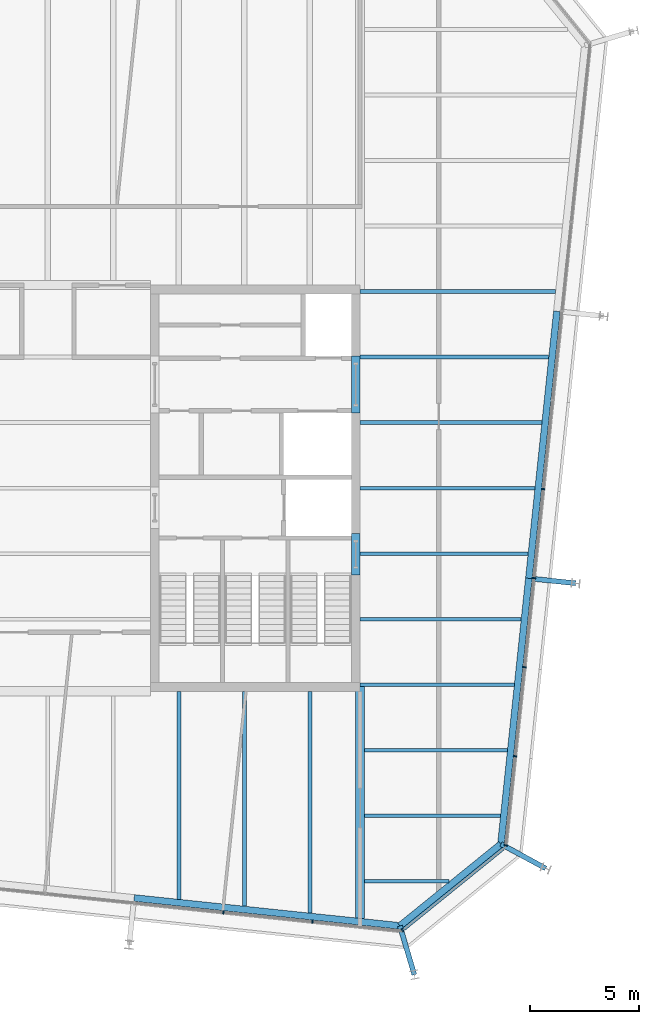
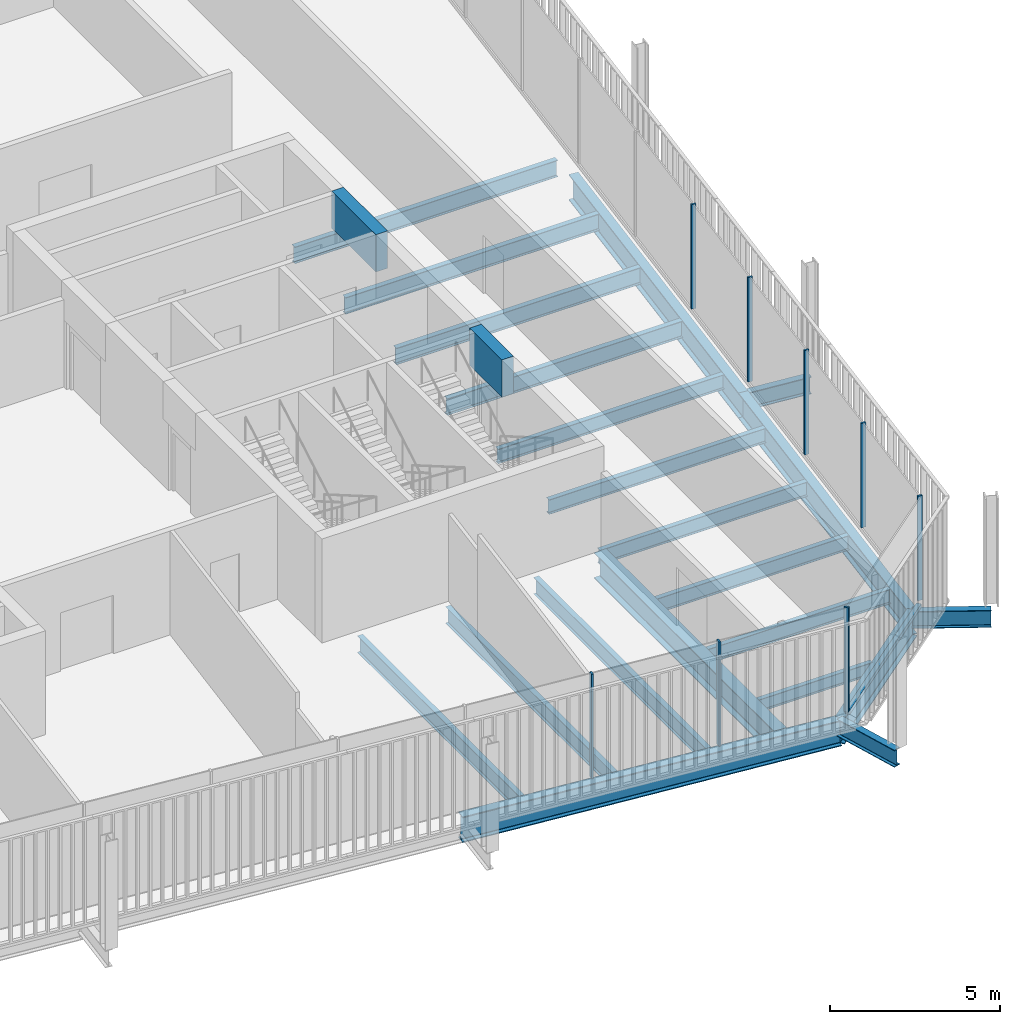
# One storey, part 9 of 20: 23 beams, 9 members, 3 elements without a shape of their own.
"""IFC4 building model written with IfcOpenShell, lengths in metres."""

from ifc_helpers import new_model, si_unit, direction, frame, origin, origin_2d, place, context, subcontext, project, spatial, rectangle, i_section, extrude, material, layer, layer_set, material_profile, profile_set, type_object, element, aggregate, save


model = new_model("IFC4")

# Units and contexts
model_context = context("Model", 3, precision=1e-05, world=origin(), true_north=direction((0.0, 1.0)))
body_context = subcontext(model_context, "Body", "Model", "MODEL_VIEW")
ifc_project = project(units=[si_unit("LENGTHUNIT", "METRE"), si_unit("AREAUNIT", "SQUARE_METRE"), si_unit("VOLUMEUNIT", "CUBIC_METRE"), si_unit("PLANEANGLEUNIT", "RADIAN"), si_unit("MASSUNIT", "GRAM", prefix="KILO")], contexts=[model_context])

# Site, building, storey
site_placement = place(None, origin())
site = spatial("IfcSite", under=ifc_project, at=site_placement, CompositionType="ELEMENT")
building_placement = place(site_placement, origin())
building = spatial("IfcBuilding", under=site, at=building_placement, Name="Millrace Tower", CompositionType="ELEMENT")
storey_placement = place(building_placement, frame((0.0, 0.0, 295.5)))
storey = spatial("IfcBuildingStorey", under=building, at=storey_placement, Name="L68", CompositionType="ELEMENT", Elevation=295.5)

# Curtain wall, members
ifc_material_1 = material(Name="Aluminium and glass", Category="aluminium")
ifc_layer = layer(ifc_material_1, 0.14990234375)
ifc_layer_set = layer_set([ifc_layer], Name="Aluminium and glass")
curtain_wall_type = type_object("IfcCurtainWallType", Name="CW-1 office vision curtain wall", PredefinedType="NOTDEFINED", material=ifc_layer_set)
placement = place(storey_placement, origin())
curtain_wall_1 = element("IfcCurtainWall", 1, at=placement, inside=storey, type_object=curtain_wall_type, Name="Curtain wall E-F02 L68", PredefinedType="NOTDEFINED")
ifc_material_2 = material(Name="Aluminium", Category="aluminium")
ifc_material_profile_1 = material_profile(ifc_material_2, rectangle(XDim=0.06494140625, YDim=0.14990234375, at=origin_2d()))
ifc_profile_set_1 = profile_set([ifc_material_profile_1], Name="Aluminium")
member_type_1 = type_object("IfcMemberType", Name="CW-1 office vision curtain wall mullion", PredefinedType="MULLION", material=ifc_profile_set_1)
member_1_placement = place(storey_placement, frame((8.040283203125, -19.4248046875, 0.139892578125), z_axis=(0.0, 0.0, 1.0), x_axis=(0.994521896217, -0.104528455196, 0.0)))
member_1 = element("IfcMember", 2, at=member_1_placement, type_object=member_type_1, Name="CW1 mullion E-F02.8", PredefinedType="MULLION", context=body_context, shape_type="SweptSolid", body=[
    extrude(rectangle(XDim=0.06494140625, YDim=0.14990234375, at=origin_2d()), origin(), (0.0, 0.0, 1.0), 3.760009765625),
])
member_2_placement = place(storey_placement, frame((12.117919921875, -19.853271484375, 0.139892578125), z_axis=(0.0, 0.0, 1.0), x_axis=(0.994521896217, -0.104528455196, 0.0)))
member_2 = element("IfcMember", 3, at=member_2_placement, type_object=member_type_1, Name="CW1 mullion E-F02.9", PredefinedType="MULLION", context=body_context, shape_type="SweptSolid", body=[
    extrude(rectangle(XDim=0.06494140625, YDim=0.14990234375, at=origin_2d()), origin(), (0.0, 0.0, 1.0), 3.760009765625),
])
aggregate(curtain_wall_1, [member_1, member_2])

# Curtain wall, member
curtain_wall_2 = element("IfcCurtainWall", 4, at=placement, inside=storey, type_object=curtain_wall_type, Name="Curtain wall E-F03 L68", PredefinedType="NOTDEFINED")
member_3_placement = place(storey_placement, frame((16.243408203125, -20.24169921875, 0.139892578125), z_axis=(0.0, 0.0, 1.0), x_axis=(0.777146052237, 0.629320278945, 0.0)))
member_3 = element("IfcMember", 5, at=member_3_placement, type_object=member_type_1, Name="CW1 mullion E-F03.1", PredefinedType="MULLION", context=body_context, shape_type="SweptSolid", body=[
    extrude(rectangle(XDim=0.06494140625, YDim=0.14990234375, at=origin_2d()), origin(), (0.0, 0.0, 1.0), 3.760009765625),
])

# Curtain wall, members
curtain_wall_3 = element("IfcCurtainWall", 6, at=placement, inside=storey, type_object=curtain_wall_type, Name="Curtain wall E-F04 L68", PredefinedType="NOTDEFINED")
member_4_placement = place(storey_placement, frame((20.974853515625, -16.3525390625, 0.139892578125), z_axis=(0.0, 0.0, 1.0), x_axis=(0.104528455196, 0.994521896217, 0.0)))
member_4 = element("IfcMember", 7, at=member_4_placement, type_object=member_type_1, Name="CW1 mullion E-F04.1", PredefinedType="MULLION", context=body_context, shape_type="SweptSolid", body=[
    extrude(rectangle(XDim=0.06494140625, YDim=0.14990234375, at=origin_2d()), origin(), (0.0, 0.0, 1.0), 3.760009765625),
])
member_5_placement = place(storey_placement, frame((21.4033203125, -12.27490234375, 0.139892578125), z_axis=(0.0, 0.0, 1.0), x_axis=(0.104528455196, 0.994521896217, 0.0)))
member_5 = element("IfcMember", 8, at=member_5_placement, type_object=member_type_1, Name="CW1 mullion E-F04.2", PredefinedType="MULLION", context=body_context, shape_type="SweptSolid", body=[
    extrude(rectangle(XDim=0.06494140625, YDim=0.14990234375, at=origin_2d()), origin(), (0.0, 0.0, 1.0), 3.760009765625),
])
member_6_placement = place(storey_placement, frame((21.83203125, -8.197509765625, 0.139892578125), z_axis=(0.0, 0.0, 1.0), x_axis=(0.104528455196, 0.994521896217, 0.0)))
member_6 = element("IfcMember", 9, at=member_6_placement, type_object=member_type_1, Name="CW1 mullion E-F04.3", PredefinedType="MULLION", context=body_context, shape_type="SweptSolid", body=[
    extrude(rectangle(XDim=0.06494140625, YDim=0.14990234375, at=origin_2d()), origin(), (0.0, 0.0, 1.0), 3.760009765625),
])
member_7_placement = place(storey_placement, frame((22.260498046875, -4.119873046875, 0.139892578125), z_axis=(0.0, 0.0, 1.0), x_axis=(0.104528455196, 0.994521896217, 0.0)))
member_7 = element("IfcMember", 10, at=member_7_placement, type_object=member_type_1, Name="CW1 mullion E-F04.4", PredefinedType="MULLION", context=body_context, shape_type="SweptSolid", body=[
    extrude(rectangle(XDim=0.06494140625, YDim=0.14990234375, at=origin_2d()), origin(), (0.0, 0.0, 1.0), 3.760009765625),
])
member_8_placement = place(storey_placement, frame((22.68896484375, -0.042236328125, 0.139892578125), z_axis=(0.0, 0.0, 1.0), x_axis=(0.104528455196, 0.994521896217, 0.0)))
member_8 = element("IfcMember", 11, at=member_8_placement, type_object=member_type_1, Name="CW1 mullion E-F04.5", PredefinedType="MULLION", context=body_context, shape_type="SweptSolid", body=[
    extrude(rectangle(XDim=0.06494140625, YDim=0.14990234375, at=origin_2d()), origin(), (0.0, 0.0, 1.0), 3.760009765625),
])
aggregate(curtain_wall_3, [member_4, member_5, member_6, member_7, member_8])

# Member
ifc_material_3 = material(Name="Aluminium", Category="aluminium")
ifc_material_profile_2 = material_profile(ifc_material_3, rectangle(XDim=0.14990234375, YDim=0.139892578125, at=origin_2d()))
ifc_profile_set_2 = profile_set([ifc_material_profile_2], Name="Aluminium")
member_type_2 = type_object("IfcMemberType", Name="CW-1 office vision curtain wall transom", PredefinedType="USERDEFINED", material=ifc_profile_set_2)
member_9_placement = place(storey_placement, frame((16.2958984375, -20.19921875, 0.070068359375), z_axis=(0.77714915117, 0.629316452061, 0.0), x_axis=(-0.629316452061, 0.77714915117, 0.0)))
member_9 = element("IfcMember", 12, at=member_9_placement, type_object=member_type_2, Name="CW1 transom E-F03.1", ObjectType="TRANSOM", PredefinedType="USERDEFINED", context=body_context, shape_type="SweptSolid", body=[
    extrude(rectangle(XDim=0.14990234375, YDim=0.139892578125, at=origin_2d()), origin(), (0.0, 0.0, 1.0), 5.880859375),
])

aggregate(curtain_wall_2, [member_3, member_9])

# Beams
ifc_material_4 = material(Name="Concrete C60", Category="concrete")
ifc_material_profile_3 = material_profile(ifc_material_4, rectangle(XDim=0.39990234375, YDim=1.340087890625, at=origin_2d()))
ifc_profile_set_3 = profile_set([ifc_material_profile_3], Name="Concrete C60")
beam_type_1 = type_object("IfcBeamType", Name="Coupling beam 400 x 1340 Concrete C60, 1300 opening", PredefinedType="BEAM", material=ifc_profile_set_3)
beam_1_placement = place(storey_placement, frame((14.10009765625, -2.080078125, 3.070068359375), z_axis=(0.0, -1.0, 0.0), x_axis=(1.0, 0.0, 0.0)))
element("IfcBeam", 13, at=beam_1_placement, inside=storey, type_object=beam_type_1, Name="Coupling beam E L68", PredefinedType="BEAM", context=body_context, shape_type="SweptSolid", body=[
    extrude(rectangle(XDim=0.39990234375, YDim=1.340087890625, at=origin_2d()), origin(), (0.0, 0.0, 1.0), 1.89990234375),
])
ifc_material_5 = material(Name="Concrete C60", Category="concrete")
ifc_material_profile_4 = material_profile(ifc_material_5, rectangle(XDim=0.39990234375, YDim=1.340087890625, at=origin_2d()))
ifc_profile_set_4 = profile_set([ifc_material_profile_4], Name="Concrete C60")
beam_type_2 = type_object("IfcBeamType", Name="Coupling beam 400 x 1340 Concrete C60, 2000 opening", PredefinedType="BEAM", material=ifc_profile_set_4)
beam_2_placement = place(storey_placement, frame((14.10009765625, 6.050048828125, 3.070068359375), z_axis=(0.0, -1.0, 0.0), x_axis=(1.0, 0.0, 0.0)))
element("IfcBeam", 14, at=beam_2_placement, inside=storey, type_object=beam_type_2, Name="Coupling beam E L68", PredefinedType="BEAM", context=body_context, shape_type="SweptSolid", body=[
    extrude(rectangle(XDim=0.39990234375, YDim=1.340087890625, at=origin_2d()), origin(), (0.0, 0.0, 1.0), 2.60009765625),
])
ifc_material_6 = material(Name="Steel ASTM A992 Grade 50", Category="steel")
ifc_material_profile_5 = material_profile(ifc_material_6, i_section(OverallWidth=0.15234375, OverallDepth=0.449462890625, WebThickness=0.007568359375, FlangeThickness=0.0107421875, FilletRadius=0.01025390625, at=origin_2d()))
ifc_profile_set_5 = profile_set([ifc_material_profile_5], Name="Steel ASTM A992 Grade 50")
beam_type_3 = type_object("IfcBeamType", Name="Floor beam W18x35", PredefinedType="JOIST", material=ifc_profile_set_5)
beam_3_placement = place(storey_placement, frame((14.509521484375, -18.0, -0.384765625), z_axis=(1.0, 0.0, 0.0), x_axis=(0.0, 1.0, 0.0)))
element("IfcBeam", 15, at=beam_3_placement, inside=storey, type_object=beam_type_3, Name="BM-E-L68-S1-S001", PredefinedType="JOIST", context=body_context, shape_type="SweptSolid", body=[
    extrude(i_section(OverallWidth=0.15234375, OverallDepth=0.449462890625, WebThickness=0.007568359375, FlangeThickness=0.0107421875, FilletRadius=0.01025390625, at=origin_2d()), origin(), (0.0, 0.0, 1.0), 3.87060546875),
])
ifc_material_7 = material(Name="Steel ASTM A992 Grade 50", Category="steel")
ifc_material_profile_6 = material_profile(ifc_material_7, i_section(OverallWidth=0.1650390625, OverallDepth=0.52587890625, WebThickness=0.0087890625, FlangeThickness=0.011474609375, FilletRadius=0.0126953125, at=origin_2d()))
ifc_profile_set_6 = profile_set([ifc_material_profile_6], Name="Steel ASTM A992 Grade 50")
beam_type_4 = type_object("IfcBeamType", Name="Floor beam W21x44", PredefinedType="JOIST", material=ifc_profile_set_6)
beam_4_placement = place(storey_placement, frame((14.509521484375, -15.0, -0.4228515625), z_axis=(1.0, 0.0, 0.0), x_axis=(0.0, 1.0, 0.0)))
element("IfcBeam", 16, at=beam_4_placement, inside=storey, type_object=beam_type_4, Name="BM-E-L68-S1-S003", PredefinedType="JOIST", context=body_context, shape_type="SweptSolid", body=[
    extrude(i_section(OverallWidth=0.1650390625, OverallDepth=0.52587890625, WebThickness=0.0087890625, FlangeThickness=0.011474609375, FilletRadius=0.0126953125, at=origin_2d()), origin(), (0.0, 0.0, 1.0), 6.222900390625),
])
beam_5_placement = place(storey_placement, frame((14.509521484375, -12.0, -0.4228515625), z_axis=(1.0, 0.0, 0.0), x_axis=(0.0, 1.0, 0.0)))
element("IfcBeam", 17, at=beam_5_placement, inside=storey, type_object=beam_type_4, Name="BM-E-L68-S1-S005", PredefinedType="JOIST", context=body_context, shape_type="SweptSolid", body=[
    extrude(i_section(OverallWidth=0.1650390625, OverallDepth=0.52587890625, WebThickness=0.0087890625, FlangeThickness=0.011474609375, FilletRadius=0.0126953125, at=origin_2d()), origin(), (0.0, 0.0, 1.0), 6.538330078125),
])
beam_6_placement = place(storey_placement, frame((14.300048828125, -9.0, -0.4228515625), z_axis=(1.0, 0.0, 0.0), x_axis=(0.0, 1.0, 0.0)))
element("IfcBeam", 18, at=beam_6_placement, inside=storey, type_object=beam_type_4, Name="BM-E-L68-S1-S007", PredefinedType="JOIST", context=body_context, shape_type="SweptSolid", body=[
    extrude(i_section(OverallWidth=0.1650390625, OverallDepth=0.52587890625, WebThickness=0.0087890625, FlangeThickness=0.011474609375, FilletRadius=0.0126953125, at=origin_2d()), origin(), (0.0, 0.0, 1.0), 7.06298828125),
])
beam_7_placement = place(storey_placement, frame((14.300048828125, -6.0, -0.4228515625), z_axis=(1.0, 0.0, 0.0), x_axis=(0.0, 1.0, 0.0)))
element("IfcBeam", 19, at=beam_7_placement, inside=storey, type_object=beam_type_4, Name="BM-E-L68-S1-S010", PredefinedType="JOIST", context=body_context, shape_type="SweptSolid", body=[
    extrude(i_section(OverallWidth=0.1650390625, OverallDepth=0.52587890625, WebThickness=0.0087890625, FlangeThickness=0.011474609375, FilletRadius=0.0126953125, at=origin_2d()), origin(), (0.0, 0.0, 1.0), 7.37841796875),
])
beam_8_placement = place(storey_placement, frame((14.300048828125, -3.0, -0.4228515625), z_axis=(1.0, 0.0, 0.0), x_axis=(0.0, 1.0, 0.0)))
element("IfcBeam", 20, at=beam_8_placement, inside=storey, type_object=beam_type_4, Name="BM-E-L68-S1-S013", PredefinedType="JOIST", context=body_context, shape_type="SweptSolid", body=[
    extrude(i_section(OverallWidth=0.1650390625, OverallDepth=0.52587890625, WebThickness=0.0087890625, FlangeThickness=0.011474609375, FilletRadius=0.0126953125, at=origin_2d()), origin(), (0.0, 0.0, 1.0), 7.693603515625),
])
ifc_material_8 = material(Name="Steel ASTM A992 Grade 50", Category="steel")
ifc_material_profile_7 = material_profile(ifc_material_8, i_section(OverallWidth=0.177978515625, OverallDepth=0.599365234375, WebThickness=0.010009765625, FlangeThickness=0.012939453125, FilletRadius=0.012939453125, at=origin_2d()))
ifc_profile_set_7 = profile_set([ifc_material_profile_7], Name="Steel ASTM A992 Grade 50")
beam_type_5 = type_object("IfcBeamType", Name="Floor beam W24x55", PredefinedType="JOIST", material=ifc_profile_set_7)
beam_9_placement = place(storey_placement, frame((14.300048828125, 0.0, -0.459716796875), z_axis=(1.0, 0.0, 0.0), x_axis=(0.0, 1.0, 0.0)))
element("IfcBeam", 21, at=beam_9_placement, inside=storey, type_object=beam_type_5, Name="BM-E-L68-S1-S016", PredefinedType="JOIST", context=body_context, shape_type="SweptSolid", body=[
    extrude(i_section(OverallWidth=0.177978515625, OverallDepth=0.599365234375, WebThickness=0.010009765625, FlangeThickness=0.012939453125, FilletRadius=0.012939453125, at=origin_2d()), origin(), (0.0, 0.0, 1.0), 8.009033203125),
])
beam_10_placement = place(storey_placement, frame((14.300048828125, 3.0, -0.459716796875), z_axis=(1.0, 0.0, 0.0), x_axis=(0.0, 1.0, 0.0)))
element("IfcBeam", 22, at=beam_10_placement, inside=storey, type_object=beam_type_5, Name="BM-E-L68-S1-S019", PredefinedType="JOIST", context=body_context, shape_type="SweptSolid", body=[
    extrude(i_section(OverallWidth=0.177978515625, OverallDepth=0.599365234375, WebThickness=0.010009765625, FlangeThickness=0.012939453125, FilletRadius=0.012939453125, at=origin_2d()), origin(), (0.0, 0.0, 1.0), 8.324462890625),
])
beam_11_placement = place(storey_placement, frame((14.300048828125, 6.0, -0.459716796875), z_axis=(1.0, 0.0, 0.0), x_axis=(0.0, 1.0, 0.0)))
element("IfcBeam", 23, at=beam_11_placement, inside=storey, type_object=beam_type_5, Name="BM-E-L68-S1-S022", PredefinedType="JOIST", context=body_context, shape_type="SweptSolid", body=[
    extrude(i_section(OverallWidth=0.177978515625, OverallDepth=0.599365234375, WebThickness=0.010009765625, FlangeThickness=0.012939453125, FilletRadius=0.012939453125, at=origin_2d()), origin(), (0.0, 0.0, 1.0), 8.6396484375),
])
beam_12_placement = place(storey_placement, frame((14.300048828125, 9.0, -0.459716796875), z_axis=(1.0, 0.0, 0.0), x_axis=(0.0, 1.0, 0.0)))
element("IfcBeam", 24, at=beam_12_placement, inside=storey, type_object=beam_type_5, Name="BM-E-L68-S1-S024", PredefinedType="JOIST", context=body_context, shape_type="SweptSolid", body=[
    extrude(i_section(OverallWidth=0.177978515625, OverallDepth=0.599365234375, WebThickness=0.010009765625, FlangeThickness=0.012939453125, FilletRadius=0.012939453125, at=origin_2d()), origin(), (0.0, 0.0, 1.0), 8.955078125),
])
beam_13_placement = place(storey_placement, frame((6.0, -18.825927734375, -0.459716796875), z_axis=(0.0, 1.0, 0.0), x_axis=(-1.0, 0.0, 0.0)))
element("IfcBeam", 25, at=beam_13_placement, inside=storey, type_object=beam_type_5, Name="BM-E-L68-S1-S049", PredefinedType="JOIST", context=body_context, shape_type="SweptSolid", body=[
    extrude(i_section(OverallWidth=0.177978515625, OverallDepth=0.599365234375, WebThickness=0.010009765625, FlangeThickness=0.012939453125, FilletRadius=0.012939453125, at=origin_2d()), origin(), (0.0, 0.0, 1.0), 9.52587890625),
])
beam_14_placement = place(storey_placement, frame((9.0, -19.14111328125, -0.459716796875), z_axis=(0.0, 1.0, 0.0), x_axis=(-1.0, 0.0, 0.0)))
element("IfcBeam", 26, at=beam_14_placement, inside=storey, type_object=beam_type_5, Name="BM-E-L68-S1-S051", PredefinedType="JOIST", context=body_context, shape_type="SweptSolid", body=[
    extrude(i_section(OverallWidth=0.177978515625, OverallDepth=0.599365234375, WebThickness=0.010009765625, FlangeThickness=0.012939453125, FilletRadius=0.012939453125, at=origin_2d()), origin(), (0.0, 0.0, 1.0), 9.841064453125),
])
ifc_material_9 = material(Name="Steel ASTM A992 Grade 50", Category="steel")
ifc_material_profile_8 = material_profile(ifc_material_9, i_section(OverallWidth=0.1787109375, OverallDepth=0.60205078125, WebThickness=0.010986328125, FlangeThickness=0.014892578125, FilletRadius=0.0126953125, at=origin_2d()))
ifc_profile_set_8 = profile_set([ifc_material_profile_8], Name="Steel ASTM A992 Grade 50")
beam_type_6 = type_object("IfcBeamType", Name="Floor beam W24x62", PredefinedType="JOIST", material=ifc_profile_set_8)
beam_15_placement = place(storey_placement, frame((12.0, -19.45654296875, -0.4609375), z_axis=(0.0, 1.0, 0.0), x_axis=(-1.0, 0.0, 0.0)))
element("IfcBeam", 27, at=beam_15_placement, inside=storey, type_object=beam_type_6, Name="BM-E-L68-S1-S053", PredefinedType="JOIST", context=body_context, shape_type="SweptSolid", body=[
    extrude(i_section(OverallWidth=0.1787109375, OverallDepth=0.60205078125, WebThickness=0.010986328125, FlangeThickness=0.014892578125, FilletRadius=0.0126953125, at=origin_2d()), origin(), (0.0, 0.0, 1.0), 10.156494140625),
])
ifc_material_10 = material(Name="Steel ASTM A992 Grade 50", Category="steel")
ifc_material_profile_9 = material_profile(ifc_material_10, i_section(OverallWidth=0.419189453125, OverallDepth=0.927001953125, WebThickness=0.019287109375, FlangeThickness=0.031982421875, FilletRadius=0.024169921875, at=origin_2d()))
ifc_profile_set_9 = profile_set([ifc_material_profile_9], Name="Steel ASTM A992 Grade 50")
beam_type_7 = type_object("IfcBeamType", Name="Girder short span W36x231", PredefinedType="BEAM", material=ifc_profile_set_9)
beam_16_placement = place(storey_placement, frame((14.300048828125, -19.6982421875, -0.62353515625), z_axis=(0.0, 1.0, 0.0), x_axis=(-1.0, 0.0, 0.0)))
element("IfcBeam", 28, at=beam_16_placement, inside=storey, type_object=beam_type_7, Name="BM-E-L68-S1-G057", PredefinedType="BEAM", context=body_context, shape_type="SweptSolid", body=[
    extrude(i_section(OverallWidth=0.419189453125, OverallDepth=0.927001953125, WebThickness=0.019287109375, FlangeThickness=0.031982421875, FilletRadius=0.024169921875, at=origin_2d()), origin(), (0.0, 0.0, 1.0), 10.6142578125),
])
ifc_material_11 = material(Name="Steel ASTM A992 Grade 50", Category="steel")
ifc_material_profile_10 = material_profile(ifc_material_11, i_section(OverallWidth=0.23046875, OverallDepth=0.6171875, WebThickness=0.01318359375, FlangeThickness=0.022216796875, FilletRadius=0.012939453125, at=origin_2d()))
ifc_profile_set_10 = profile_set([ifc_material_profile_10], Name="Steel ASTM A992 Grade 50")
beam_type_8 = type_object("IfcBeamType", Name="Link beam W24x94", PredefinedType="BEAM", material=ifc_profile_set_10)
beam_17_placement = place(storey_placement, frame((22.1826171875, -4.144287109375, -0.468505859375), z_axis=(0.99452550138, -0.104494148666, 0.0), x_axis=(0.104494148666, 0.99452550138, 0.0)))
element("IfcBeam", 29, at=beam_17_placement, inside=storey, type_object=beam_type_8, Name="LNK-E-L68-S1-11", PredefinedType="BEAM", context=body_context, shape_type="SweptSolid", body=[
    extrude(i_section(OverallWidth=0.23046875, OverallDepth=0.6171875, WebThickness=0.01318359375, FlangeThickness=0.022216796875, FilletRadius=0.012939453125, at=origin_2d()), origin(), (0.0, 0.0, 1.0), 2.0),
])
for number, where, z_axis, x_axis, name in (
    (30, (20.750732421875, -16.297607421875, -0.468505859375), (0.87881453358, -0.477163510307, 0.0), (0.477163510307, 0.87881453358, 0.0), "LNK-E-L68-S1-12"),
    (31, (16.123779296875, -20.04443359375, -0.468505859375), (0.283934988541, -0.958843533785, 0.0), (0.958843533785, 0.283934988541, 0.0), "LNK-E-L68-S1-13"),
):
    element("IfcBeam", number, at=place(storey_placement, frame(where, z_axis=z_axis, x_axis=x_axis)), inside=storey, type_object=beam_type_8, Name=name, PredefinedType="BEAM", context=body_context, shape_type="SweptSolid", body=[
        extrude(i_section(OverallWidth=0.23046875, OverallDepth=0.6171875, WebThickness=0.01318359375, FlangeThickness=0.022216796875, FilletRadius=0.012939453125, at=origin_2d()), origin(), (0.0, 0.0, 1.0), 2.3310546875),
    ])
ifc_material_12 = material(Name="Steel ASTM A992 Grade 50", Category="steel")
ifc_material_profile_11 = material_profile(ifc_material_12, i_section(OverallWidth=0.307373046875, OverallDepth=0.927001953125, WebThickness=0.01953125, FlangeThickness=0.031982421875, FilletRadius=0.01904296875, at=origin_2d()))
ifc_profile_set_11 = profile_set([ifc_material_profile_11], Name="Steel ASTM A992 Grade 50")
beam_type_9 = type_object("IfcBeamType", Name="Ring beam medium span W36x194", PredefinedType="SPANDREL", material=ifc_profile_set_11)
beam_18_placement = place(storey_placement, frame((23.3154296875, 8.104248046875, -0.62353515625), z_axis=(-0.10452566363, -0.994522189618, 0.0), x_axis=(0.994522189618, -0.10452566363, 0.0)))
element("IfcBeam", 32, at=beam_18_placement, inside=storey, type_object=beam_type_9, Name="RNG-E-L68-S1-10", PredefinedType="SPANDREL", context=body_context, shape_type="SweptSolid", body=[
    extrude(i_section(OverallWidth=0.307373046875, OverallDepth=0.927001953125, WebThickness=0.01953125, FlangeThickness=0.031982421875, FilletRadius=0.01904296875, at=origin_2d()), origin(), (0.0, 0.0, 1.0), 12.2998046875),
])
for number, where, z_axis, x_axis, name in (
    (33, (22.02978515625, -4.128173828125, -0.62353515625), (-0.104527955888, -0.994521948696, 0.0), (0.994521948696, -0.104527955888, 0.0), "RNG-E-L68-S1-11"),
    (34, (16.123779296875, -20.04443359375, -0.62353515625), (-0.994521948696, 0.104527955888, 0.0), (-0.104527955888, -0.994521948696, 0.0), "RNG-E-L68-S1-13"),
):
    element("IfcBeam", number, at=place(storey_placement, frame(where, z_axis=z_axis, x_axis=x_axis)), inside=storey, type_object=beam_type_9, Name=name, PredefinedType="SPANDREL", context=body_context, shape_type="SweptSolid", body=[
        extrude(i_section(OverallWidth=0.307373046875, OverallDepth=0.927001953125, WebThickness=0.01953125, FlangeThickness=0.031982421875, FilletRadius=0.01904296875, at=origin_2d()), origin(), (0.0, 0.0, 1.0), 12.236572265625),
    ])
ifc_material_13 = material(Name="Steel ASTM A992 Grade 50", Category="steel")
ifc_material_profile_12 = material_profile(ifc_material_13, i_section(OverallWidth=0.307373046875, OverallDepth=0.927001953125, WebThickness=0.01953125, FlangeThickness=0.031982421875, FilletRadius=0.01904296875, at=origin_2d()))
ifc_profile_set_12 = profile_set([ifc_material_profile_12], Name="Steel ASTM A992 Grade 50")
beam_type_10 = type_object("IfcBeamType", Name="Ring beam short span W36x194", PredefinedType="SPANDREL", material=ifc_profile_set_12)
beam_19_placement = place(storey_placement, frame((20.750732421875, -16.297607421875, -0.62353515625), z_axis=(-0.777146502883, -0.629319722443, 0.0), x_axis=(0.629319722443, -0.777146502883, 0.0)))
element("IfcBeam", 35, at=beam_19_placement, inside=storey, type_object=beam_type_10, Name="RNG-E-L68-S1-12", PredefinedType="SPANDREL", context=body_context, shape_type="SweptSolid", body=[
    extrude(i_section(OverallWidth=0.307373046875, OverallDepth=0.927001953125, WebThickness=0.01953125, FlangeThickness=0.031982421875, FilletRadius=0.01904296875, at=origin_2d()), origin(), (0.0, 0.0, 1.0), 5.953857421875),
])

save(model, "model.ifc")
